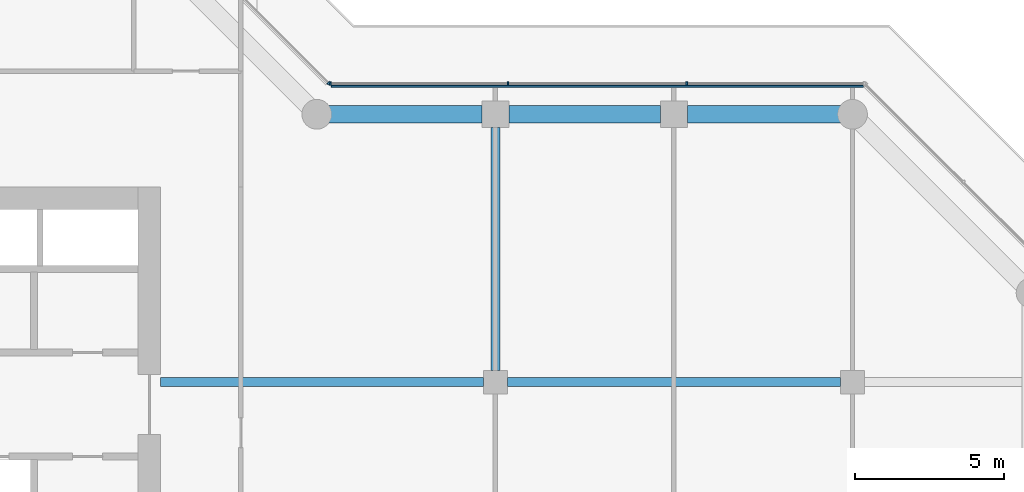
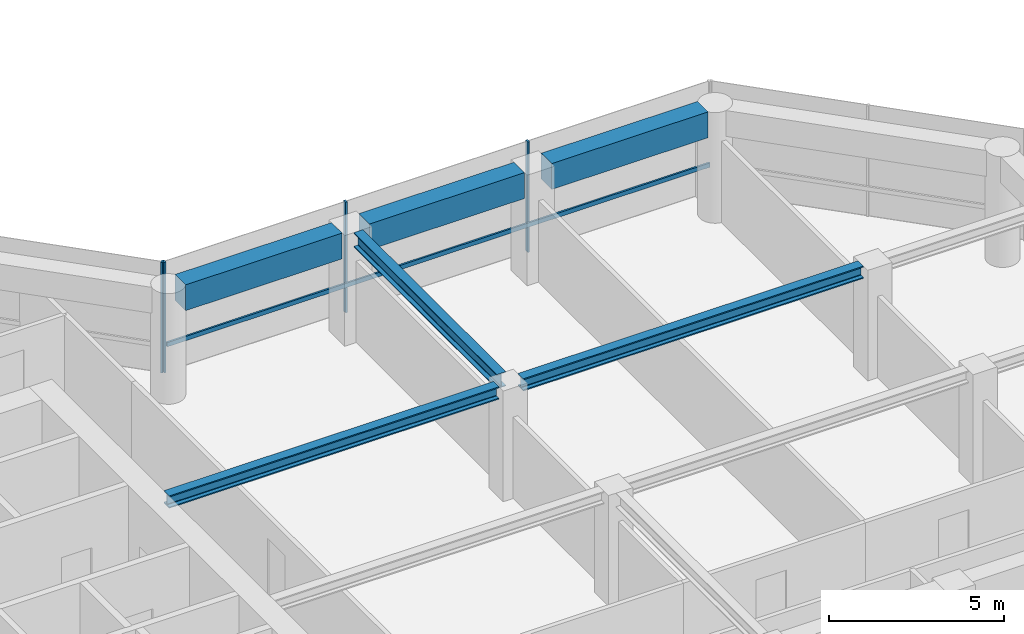
# One storey, part 8 of 25: 6 beams, 5 members, 2 elements without a shape of their own.
"""IFC4 building model written with IfcOpenShell, lengths in metres."""

from ifc_helpers import new_model, si_unit, direction, frame, origin, origin_2d, place, context, subcontext, project, spatial, rectangle, i_section, extrude, material, layer, layer_set, material_profile, profile_set, type_object, element, aggregate, save


model = new_model("IFC4")

# Units and contexts
model_context = context("Model", 3, precision=1e-05, world=origin(), true_north=direction((0.0, 1.0)))
body_context = subcontext(model_context, "Body", "Model", "MODEL_VIEW")
ifc_project = project(units=[si_unit("LENGTHUNIT", "METRE"), si_unit("AREAUNIT", "SQUARE_METRE"), si_unit("VOLUMEUNIT", "CUBIC_METRE"), si_unit("PLANEANGLEUNIT", "RADIAN"), si_unit("MASSUNIT", "GRAM", prefix="KILO")], contexts=[model_context])

# Site, building, storey
site_placement = place(None, origin())
site = spatial("IfcSite", under=ifc_project, at=site_placement, CompositionType="ELEMENT")
building_placement = place(site_placement, origin())
building = spatial("IfcBuilding", under=site, at=building_placement, Name="Welwitschia Terrace Campus", CompositionType="ELEMENT")
storey_placement = place(building_placement, frame((0.0, 0.0, 121.39990234375)))
storey = spatial("IfcBuildingStorey", under=building, at=storey_placement, Name="L27", CompositionType="ELEMENT", Elevation=121.39990234375)

# Beams
ifc_material_1 = material(Name="Steel S355", Category="steel")
ifc_material_profile_1 = material_profile(ifc_material_1, i_section(OverallWidth=0.306884765625, OverallDepth=0.431884765625, WebThickness=0.02099609375, FlangeThickness=0.0400390625, FilletRadius=0.027099609375, at=origin_2d()))
ifc_profile_set_1 = profile_set([ifc_material_profile_1], Name="Steel S355")
beam_type_1 = type_object("IfcBeamType", Name="Interior girder HE 400 M", PredefinedType="BEAM", material=ifc_profile_set_1)
beam_1_placement = place(storey_placement, frame((24.7509765625, 19.0, 3.634033203125), z_axis=(1.0, 0.0, 0.0), x_axis=(0.0, 1.0, 0.0)))
element("IfcBeam", 1, at=beam_1_placement, inside=storey, type_object=beam_type_1, Name="Girder GB3", PredefinedType="BEAM", context=body_context, shape_type="SweptSolid", body=[
    extrude(i_section(OverallWidth=0.306884765625, OverallDepth=0.431884765625, WebThickness=0.02099609375, FlangeThickness=0.0400390625, FilletRadius=0.027099609375, at=origin_2d()), origin(), (0.0, 0.0, 1.0), 10.8486328125),
])
beam_2_placement = place(storey_placement, frame((36.400390625, 19.0, 3.634033203125), z_axis=(1.0, 0.0, 0.0), x_axis=(0.0, 1.0, 0.0)))
element("IfcBeam", 2, at=beam_2_placement, inside=storey, type_object=beam_type_1, Name="Girder GB3", PredefinedType="BEAM", context=body_context, shape_type="SweptSolid", body=[
    extrude(i_section(OverallWidth=0.306884765625, OverallDepth=0.431884765625, WebThickness=0.02099609375, FlangeThickness=0.0400390625, FilletRadius=0.027099609375, at=origin_2d()), origin(), (0.0, 0.0, 1.0), 11.19921875),
])

# Curtain wall, members
ifc_material_2 = material(Name="Bronze anodised aluminium", Category="aluminium")
ifc_layer = layer(ifc_material_2, 0.1201171875)
ifc_layer_set = layer_set([ifc_layer], Name="Bronze anodised aluminium")
curtain_wall_type = type_object("IfcCurtainWallType", Name="Curtain wall CW2 tower 6000", PredefinedType="NOTDEFINED", material=ifc_layer_set)
curtain_wall_1_placement = place(storey_placement, origin())
curtain_wall_1 = element("IfcCurtainWall", 3, at=curtain_wall_1_placement, inside=storey, type_object=curtain_wall_type, Name="CW L27.8.0", PredefinedType="NOTDEFINED")
ifc_material_3 = material(Name="Bronze anodised aluminium", Category="aluminium")
ifc_material_profile_2 = material_profile(ifc_material_3, rectangle(XDim=0.1201171875, YDim=0.06005859375, at=origin_2d()))
ifc_profile_set_2 = profile_set([ifc_material_profile_2], Name="Bronze anodised aluminium")
member_type_1 = type_object("IfcMemberType", Name="Mullion 60x120", PredefinedType="MULLION", material=ifc_profile_set_2)
member_1_placement = place(storey_placement, frame((42.4267578125, 29.030029296875, 0.0), z_axis=(0.0, 0.0, 1.0), x_axis=(0.0, -1.0, 0.0)))
member_1 = element("IfcMember", 4, at=member_1_placement, type_object=member_type_1, Name="Mullion L27.8.0.1", PredefinedType="MULLION", context=body_context, shape_type="SweptSolid", body=[
    extrude(rectangle(XDim=0.1201171875, YDim=0.06005859375, at=origin_2d()), origin(), (0.0, 0.0, 1.0), 3.85009765625),
])
member_2_placement = place(storey_placement, frame((36.4267578125, 29.030029296875, 0.0), z_axis=(0.0, 0.0, 1.0), x_axis=(0.0, -1.0, 0.0)))
member_2 = element("IfcMember", 5, at=member_2_placement, type_object=member_type_1, Name="Mullion L27.8.0.2", PredefinedType="MULLION", context=body_context, shape_type="SweptSolid", body=[
    extrude(rectangle(XDim=0.1201171875, YDim=0.06005859375, at=origin_2d()), origin(), (0.0, 0.0, 1.0), 3.85009765625),
])
member_3_placement = place(storey_placement, frame((30.45654296875, 29.030029296875, 0.0), z_axis=(0.0, 0.0, 1.0), x_axis=(0.0, -1.0, 0.0)))
member_3 = element("IfcMember", 6, at=member_3_placement, type_object=member_type_1, Name="Mullion L27.8.0.3", PredefinedType="MULLION", context=body_context, shape_type="SweptSolid", body=[
    extrude(rectangle(XDim=0.1201171875, YDim=0.06005859375, at=origin_2d()), origin(), (0.0, 0.0, 1.0), 3.85009765625),
])

# Curtain wall, member
curtain_wall_2_placement = place(storey_placement, origin())
curtain_wall_2 = element("IfcCurtainWall", 7, at=curtain_wall_2_placement, inside=storey, type_object=curtain_wall_type, Name="CW L27.9.0", PredefinedType="NOTDEFINED")
member_4_placement = place(storey_placement, frame((30.405517578125, 29.05126953125, 0.0), z_axis=(0.0, 0.0, 1.0), x_axis=(-0.707106781187, -0.707106781187, 0.0)))
member_4 = element("IfcMember", 8, at=member_4_placement, type_object=member_type_1, Name="Mullion L27.9.0.0", PredefinedType="MULLION", context=body_context, shape_type="SweptSolid", body=[
    extrude(rectangle(XDim=0.1201171875, YDim=0.06005859375, at=origin_2d()), origin(), (0.0, 0.0, 1.0), 3.85009765625),
])
aggregate(curtain_wall_2, [member_4])

# Beams
ifc_material_4 = material(Name="Steel S355", Category="steel")
ifc_material_profile_3 = material_profile(ifc_material_4, i_section(OverallWidth=0.300048828125, OverallDepth=0.5, WebThickness=0.014404296875, FlangeThickness=0.028076171875, FilletRadius=0.027099609375, at=origin_2d()))
ifc_profile_set_3 = profile_set([ifc_material_profile_3], Name="Steel S355")
beam_type_2 = type_object("IfcBeamType", Name="Primary beam HE 500 B", PredefinedType="BEAM", material=ifc_profile_set_3)
beam_3_placement = place(storey_placement, frame((36.0, 27.549560546875, 3.60009765625), z_axis=(0.0, -1.0, 0.0), x_axis=(1.0, 0.0, 0.0)))
element("IfcBeam", 9, at=beam_3_placement, inside=storey, type_object=beam_type_2, Name="Primary beam PB3", PredefinedType="BEAM", context=body_context, shape_type="SweptSolid", body=[
    extrude(i_section(OverallWidth=0.300048828125, OverallDepth=0.5, WebThickness=0.014404296875, FlangeThickness=0.028076171875, FilletRadius=0.027099609375, at=origin_2d()), origin(), (0.0, 0.0, 1.0), 8.149169921875),
])
ifc_material_5 = material(Name="Concrete C60/75", Category="concrete")
ifc_material_profile_4 = material_profile(ifc_material_5, rectangle(XDim=0.60009765625, YDim=0.89990234375, at=origin_2d()))
ifc_profile_set_4 = profile_set([ifc_material_profile_4], Name="Concrete C60/75")
beam_type_3 = type_object("IfcBeamType", Name="Ring spandrel 600x900", PredefinedType="SPANDREL", material=ifc_profile_set_4)
beam_4_placement = place(storey_placement, frame((47.599609375, 28.0, 3.400146484375), z_axis=(-1.0, 0.0, 0.0), x_axis=(0.0, -1.0, 0.0)))
element("IfcBeam", 10, at=beam_4_placement, inside=storey, type_object=beam_type_3, Name="Spandrel SP2", PredefinedType="SPANDREL", context=body_context, shape_type="SweptSolid", body=[
    extrude(rectangle(XDim=0.60009765625, YDim=0.89990234375, at=origin_2d()), origin(), (0.0, 0.0, 1.0), 5.149169921875),
])
beam_5_placement = place(storey_placement, frame((41.549560546875, 28.0, 3.400146484375), z_axis=(-1.0, 0.0, 0.0), x_axis=(0.0, -1.0, 0.0)))
element("IfcBeam", 11, at=beam_5_placement, inside=storey, type_object=beam_type_3, Name="Spandrel SP2", PredefinedType="SPANDREL", context=body_context, shape_type="SweptSolid", body=[
    extrude(rectangle(XDim=0.60009765625, YDim=0.89990234375, at=origin_2d()), origin(), (0.0, 0.0, 1.0), 5.09912109375),
])
beam_6_placement = place(storey_placement, frame((35.549560546875, 28.0, 3.400146484375), z_axis=(-1.0, 0.0, 0.0), x_axis=(0.0, -1.0, 0.0)))
element("IfcBeam", 12, at=beam_6_placement, inside=storey, type_object=beam_type_3, Name="Spandrel SP2", PredefinedType="SPANDREL", context=body_context, shape_type="SweptSolid", body=[
    extrude(rectangle(XDim=0.60009765625, YDim=0.89990234375, at=origin_2d()), origin(), (0.0, 0.0, 1.0), 5.149169921875),
])

# Member
ifc_material_6 = material(Name="Bronze anodised aluminium", Category="aluminium")
ifc_material_profile_5 = material_profile(ifc_material_6, rectangle(XDim=0.06005859375, YDim=0.14990234375, at=origin_2d()))
ifc_profile_set_5 = profile_set([ifc_material_profile_5], Name="Bronze anodised aluminium")
member_type_2 = type_object("IfcMemberType", Name="Transom 60x150", PredefinedType="USERDEFINED", material=ifc_profile_set_5)
member_5_placement = place(storey_placement, frame((48.36669921875, 28.93994140625, 1.0), z_axis=(-1.0, 0.0, 0.0), x_axis=(0.0, -1.0, 0.0)))
member_5 = element("IfcMember", 13, at=member_5_placement, type_object=member_type_2, Name="Transom L27.8.0", ObjectType="TRANSOM", PredefinedType="USERDEFINED", context=body_context, shape_type="SweptSolid", body=[
    extrude(rectangle(XDim=0.06005859375, YDim=0.14990234375, at=origin_2d()), origin(), (0.0, 0.0, 1.0), 17.880126953125),
])

aggregate(curtain_wall_1, [member_1, member_2, member_3, member_5])

save(model, "model.ifc")
